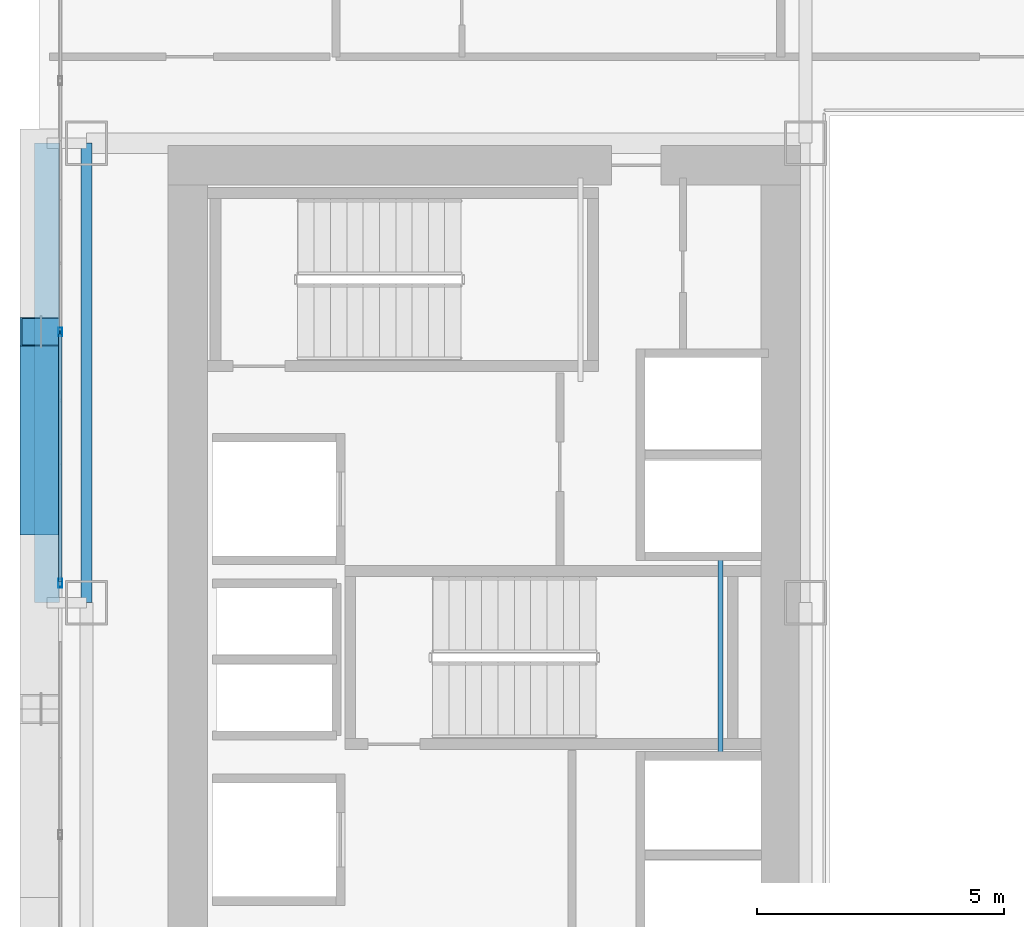
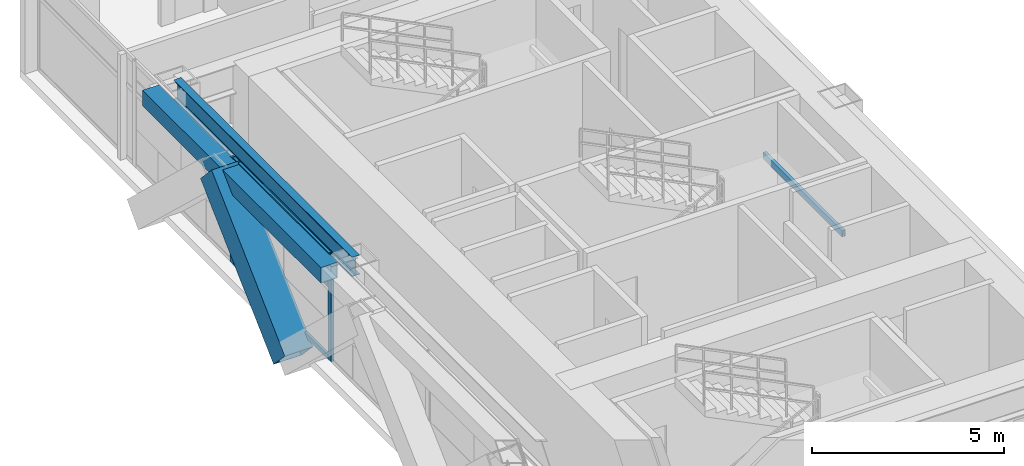
# One storey, part 8 of 35: 6 members, 3 beams, 1 element without a shape of its own.
"""IFC4 building model written with IfcOpenShell, lengths in metres."""

from ifc_helpers import new_model, si_unit, direction, frame, origin, origin_2d, place, context, subcontext, project, spatial, hollow_rectangle, i_section, extrude, source, transform, mapped, material, layer, layer_set, material_profile, profile_set, type_object, element, aggregate, save


model = new_model("IFC4")

# Units and contexts
model_context = context("Model", 3, precision=1e-05, world=origin(), true_north=direction((0.0, 1.0)))
body_context = subcontext(model_context, "Body", "Model", "MODEL_VIEW")
ifc_project = project(units=[si_unit("LENGTHUNIT", "METRE"), si_unit("AREAUNIT", "SQUARE_METRE"), si_unit("VOLUMEUNIT", "CUBIC_METRE"), si_unit("PLANEANGLEUNIT", "RADIAN"), si_unit("MASSUNIT", "GRAM", prefix="KILO")], contexts=[model_context])

# Site, building, storey
site_placement = place(None, origin())
site = spatial("IfcSite", under=ifc_project, at=site_placement, CompositionType="ELEMENT")
building_placement = place(site_placement, origin())
building = spatial("IfcBuilding", under=site, at=building_placement, Name="Ocotamira Hotel", CompositionType="ELEMENT")
storey_placement = place(building_placement, frame((0.0, 0.0, 78.0)))
storey = spatial("IfcBuildingStorey", under=building, at=storey_placement, Name="L19", CompositionType="ELEMENT", Elevation=78.0)

# Beams
ifc_material_1 = material(Name="Steel ASTM A500 Grade C", Category="steel")
ifc_material_profile_1 = material_profile(ifc_material_1, hollow_rectangle(XDim=0.10009765625, YDim=0.199951171875, WallThickness=0.008056640625, at=origin_2d()), Name="HSS200X100X8")
ifc_profile_set_1 = profile_set([ifc_material_profile_1], Name="Steel ASTM A500 Grade C")
beam_type_1 = type_object("IfcBeamType", Name="BM-STLDG-HSS200", PredefinedType="BEAM", material=ifc_profile_set_1)
shared_shape_1 = source(origin(), body_context, "Body", "SweptSolid", [
    extrude(hollow_rectangle(XDim=0.10009765625, YDim=0.199951171875, WallThickness=0.008056640625, at=origin_2d()), origin(), (0.0, 0.0, 1.0), 4.1201171875),
])
beam_1_placement = place(storey_placement, frame((21.780029296875, 24.97998046875, 1.5), z_axis=(0.0, 1.0, 0.0), x_axis=(-1.0, 0.0, 0.0)))
element("IfcBeam", 1, at=beam_1_placement, inside=storey, type_object=beam_type_1, Name="L19 Stair ST-3 Landing Bearer 1", PredefinedType="BEAM", context=body_context, shape_type="MappedRepresentation", body=[
    mapped(shared_shape_1, transform((0.0, 0.0, 0.0), scale=1.0)),
])
ifc_material_2 = material(Name="Steel ASTM A992 Grade 50", Category="steel")
ifc_material_profile_2 = material_profile(ifc_material_2, i_section(OverallWidth=0.22998046875, OverallDepth=0.616943359375, WebThickness=0.01318359375, FlangeThickness=0.022216796875, FilletRadius=0.012939453125, at=origin_2d()), Name="W24X94")
ifc_profile_set_2 = profile_set([ifc_material_profile_2], Name="Steel ASTM A992 Grade 50")
beam_type_2 = type_object("IfcBeamType", Name="BM-PRIM-W24X94", PredefinedType="BEAM", material=ifc_profile_set_2)
shared_shape_2 = source(origin(), body_context, "Body", "SweptSolid", [
    extrude(i_section(OverallWidth=0.22998046875, OverallDepth=0.616943359375, WebThickness=0.01318359375, FlangeThickness=0.022216796875, FilletRadius=0.012939453125, at=origin_2d()), origin(), (0.0, 0.0, 1.0), 9.300048828125),
])
beam_2_placement = place(storey_placement, frame((8.949951171875, 28.14990234375, 3.04150390625), z_axis=(0.0, 1.0, 0.0), x_axis=(-1.0, 0.0, 0.0)))
element("IfcBeam", 2, at=beam_2_placement, inside=storey, type_object=beam_type_2, Name="L19 Beam X8.95 Y28.15-37.45", PredefinedType="BEAM", context=body_context, shape_type="MappedRepresentation", body=[
    mapped(shared_shape_2, transform((0.0, 0.0, 0.0), scale=1.0)),
])
ifc_material_profile_3 = material_profile(ifc_material_1, hollow_rectangle(XDim=0.5, YDim=0.5, WallThickness=0.02001953125, at=origin_2d()), Name="HSS500X500X20")
ifc_profile_set_3 = profile_set([ifc_material_profile_3], Name="Steel ASTM A500 Grade C")
beam_type_3 = type_object("IfcBeamType", Name="BM-SPAN-HSS500", PredefinedType="USERDEFINED", material=ifc_profile_set_3)
shared_shape_3 = source(origin(), body_context, "Body", "SweptSolid", [
    extrude(hollow_rectangle(XDim=0.5, YDim=0.5, WallThickness=0.02001953125, at=origin_2d()), origin(), (0.0, 0.0, 1.0), 9.300048828125),
])
beam_3_placement = place(storey_placement, frame((8.14990234375, 28.14990234375, 3.10009765625), z_axis=(0.0, 1.0, 0.0), x_axis=(-1.0, 0.0, 0.0)))
element("IfcBeam", 3, at=beam_3_placement, inside=storey, type_object=beam_type_3, Name="L19 Edge Spandrel W Y28.15-37.45", ObjectType="SPANDREL", PredefinedType="USERDEFINED", context=body_context, shape_type="MappedRepresentation", body=[
    mapped(shared_shape_3, transform((0.0, 0.0, 0.0), scale=1.0)),
])

# Member
ifc_material_3 = material(Name="Pale-metal coated steel ASTM A913 Grade 65", Category="steel")
ifc_material_profile_4 = material_profile(ifc_material_3, hollow_rectangle(XDim=0.85009765625, YDim=0.85009765625, WallThickness=0.035888671875, at=origin_2d()), Name="BOX850X850X36")
ifc_profile_set_4 = profile_set([ifc_material_profile_4], Name="Pale-metal coated steel ASTM A913 Grade 65")
member_type_1 = type_object("IfcMemberType", Name="MEM-EXO-BOX850", PredefinedType="BRACE", material=ifc_profile_set_4)
shared_shape_4 = source(origin(), body_context, "Body", "SweptSolid", [
    extrude(hollow_rectangle(XDim=0.85009765625, YDim=0.85009765625, WallThickness=0.035888671875, at=origin_2d()), origin(), (0.0, 0.0, 1.0), 5.24658203125),
])
member_1_placement = place(storey_placement, frame((8.030029296875, 29.816650390625, -0.5), z_axis=(0.0, 0.727442733726, 0.686168397078), x_axis=(-1.0, 0.0, 0.0)))
element("IfcMember", 4, at=member_1_placement, inside=storey, type_object=member_type_1, Name="L19 Exoskeleton Diagrid W2.1", PredefinedType="BRACE", context=body_context, shape_type="MappedRepresentation", body=[
    mapped(shared_shape_4, transform((0.0, 0.0, 0.0), scale=1.0)),
])

# Curtain wall, members
ifc_material_4 = material(Name="Anodised pale-metal aluminium and solar glass", Category="aluminium")
ifc_layer = layer(ifc_material_4, 0.179931640625)
ifc_layer_set = layer_set([ifc_layer], Name="Anodised pale-metal aluminium and solar glass")
curtain_wall_type = type_object("IfcCurtainWallType", Name="CW-SYS2-Z1", PredefinedType="NOTDEFINED", material=ifc_layer_set)
curtain_wall_placement = place(storey_placement, origin())
curtain_wall = element("IfcCurtainWall", 5, at=curtain_wall_placement, inside=storey, type_object=curtain_wall_type, Name="L19 Curtain Wall CW-2 CW-L19-W", PredefinedType="NOTDEFINED")
ifc_material_5 = material(Name="Anodised pale-metal aluminium 6063-T6", Category="aluminium")
ifc_material_profile_5 = material_profile(ifc_material_5, hollow_rectangle(XDim=0.074951171875, YDim=0.14990234375, WallThickness=0.006103515625, at=origin_2d()), Name="HSS150X75X6")
ifc_profile_set_5 = profile_set([ifc_material_profile_5], Name="Anodised pale-metal aluminium 6063-T6")
member_type_2 = type_object("IfcMemberType", Name="CWT-150X75", PredefinedType="USERDEFINED", material=ifc_profile_set_5)
shared_shape_5 = source(origin(), body_context, "Body", "SweptSolid", [
    extrude(hollow_rectangle(XDim=0.074951171875, YDim=0.14990234375, WallThickness=0.006103515625, at=origin_2d()), origin(), (0.0, 0.0, 1.0), 5.005859375),
])
member_2_placement = place(storey_placement, frame((8.419921875, 28.582763671875, 0.03759765625), z_axis=(0.0, 1.0, 0.0), x_axis=(-1.0, 0.0, 0.0)))
member_2 = element("IfcMember", 6, at=member_2_placement, type_object=member_type_2, Name="CW-2 transom 5.1", ObjectType="TRANSOM", PredefinedType="USERDEFINED", context=body_context, shape_type="MappedRepresentation", body=[
    mapped(shared_shape_5, transform((0.0, 0.0, 0.0), scale=1.0)),
])
member_3_placement = place(storey_placement, frame((8.419921875, 28.582763671875, 2.35009765625), z_axis=(0.0, 1.0, 0.0), x_axis=(-1.0, 0.0, 0.0)))
member_3 = element("IfcMember", 7, at=member_3_placement, type_object=member_type_2, Name="CW-2 transom 5.2", ObjectType="TRANSOM", PredefinedType="USERDEFINED", context=body_context, shape_type="MappedRepresentation", body=[
    mapped(shared_shape_5, transform((0.0, 0.0, 0.0), scale=1.0)),
])
member_4_placement = place(storey_placement, frame((8.419921875, 28.582763671875, 3.3125), z_axis=(0.0, 1.0, 0.0), x_axis=(-1.0, 0.0, 0.0)))
member_4 = element("IfcMember", 8, at=member_4_placement, type_object=member_type_2, Name="CW-2 transom 5.3", ObjectType="TRANSOM", PredefinedType="USERDEFINED", context=body_context, shape_type="MappedRepresentation", body=[
    mapped(shared_shape_5, transform((0.0, 0.0, 0.0), scale=1.0)),
])
ifc_material_profile_6 = material_profile(ifc_material_5, hollow_rectangle(XDim=0.080078125, YDim=0.179931640625, WallThickness=0.006103515625, at=origin_2d()), Name="HSS180X80X6")
ifc_profile_set_6 = profile_set([ifc_material_profile_6], Name="Anodised pale-metal aluminium 6063-T6")
member_type_3 = type_object("IfcMemberType", Name="CWM-180X75", PredefinedType="MULLION", material=ifc_profile_set_6)
shared_shape_6 = source(origin(), body_context, "Body", "SweptSolid", [
    extrude(hollow_rectangle(XDim=0.080078125, YDim=0.179931640625, WallThickness=0.006103515625, at=origin_2d()), origin(), (0.0, 0.0, 1.0), 3.35009765625),
])
member_5_placement = place(storey_placement, frame((8.419921875, 28.54296875, 0.0), z_axis=(0.0, 0.0, 1.0), x_axis=(-1.0, 0.0, 0.0)))
member_5 = element("IfcMember", 9, at=member_5_placement, type_object=member_type_3, Name="CW-2 mullion 5", PredefinedType="MULLION", context=body_context, shape_type="MappedRepresentation", body=[
    mapped(shared_shape_6, transform((0.0, 0.0, 0.0), scale=1.0)),
])
member_6_placement = place(storey_placement, frame((8.419921875, 33.628662109375, 0.0), z_axis=(0.0, 0.0, 1.0), x_axis=(-1.0, 0.0, 0.0)))
member_6 = element("IfcMember", 10, at=member_6_placement, type_object=member_type_3, Name="CW-2 mullion 6", PredefinedType="MULLION", context=body_context, shape_type="MappedRepresentation", body=[
    mapped(shared_shape_6, transform((0.0, 0.0, 0.0), scale=1.0)),
])
aggregate(curtain_wall, [member_5, member_6, member_2, member_3, member_4])

save(model, "model.ifc")
